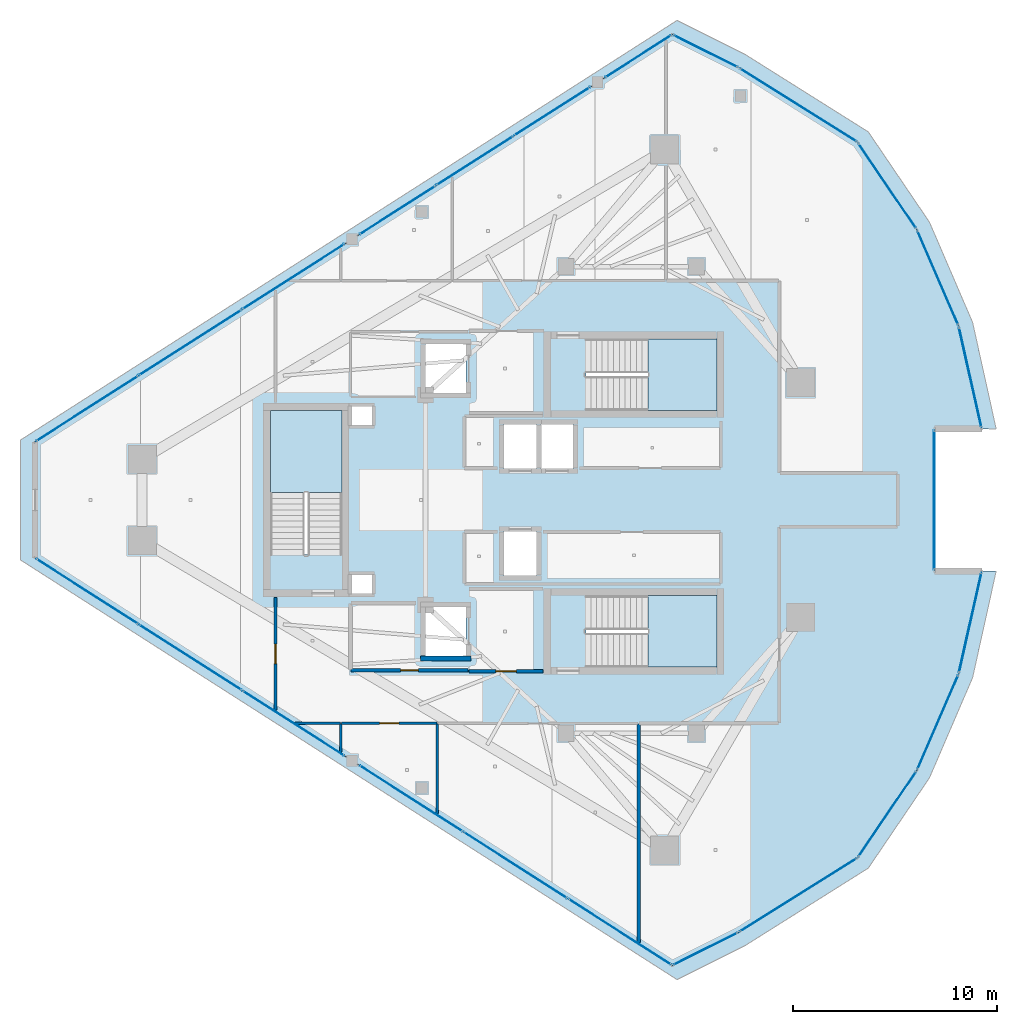
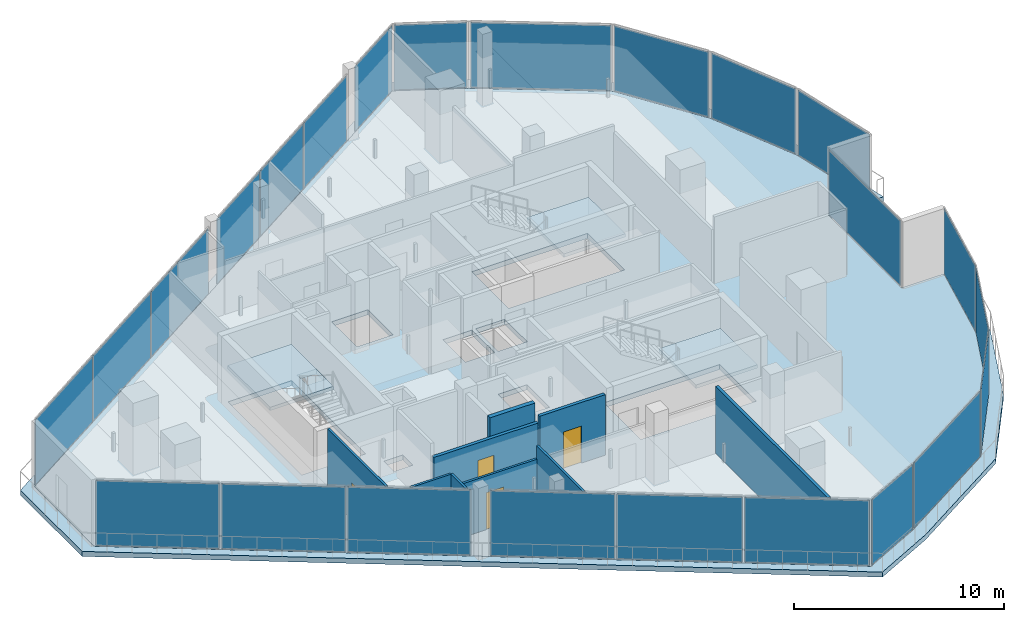
# One storey, part 17 of 25: 24 plates, 9 walls, 5 slabs, 4 doors, 4 openings, 19 elements without a shape of their own.
"""IFC4 building model written with IfcOpenShell, lengths in metres."""

from ifc_helpers import new_model, si_unit, direction, frame, frame_2d, origin, origin_2d, place, context, subcontext, project, spatial, polyline, rectangle, outline, extrude, material, layer, layer_set, type_object, element, fill, aggregate, save


model = new_model("IFC4")

# Units and contexts
model_context = context("Model", 3, precision=1e-05, world=origin(), true_north=direction((0.0, 1.0)))
body_context = subcontext(model_context, "Body", "Model", "MODEL_VIEW")
ifc_project = project(units=[si_unit("LENGTHUNIT", "METRE"), si_unit("AREAUNIT", "SQUARE_METRE"), si_unit("VOLUMEUNIT", "CUBIC_METRE"), si_unit("PLANEANGLEUNIT", "RADIAN"), si_unit("MASSUNIT", "GRAM", prefix="KILO")], contexts=[model_context])

# Site, building, storey
site_placement = place(None, origin())
site = spatial("IfcSite", under=ifc_project, at=site_placement, CompositionType="ELEMENT")
building_placement = place(site_placement, origin())
building = spatial("IfcBuilding", under=site, at=building_placement, Name="Qorvath Tower", CompositionType="ELEMENT")
storey_placement = place(building_placement, frame((0.0, 0.0, 297.60009765625)))
storey = spatial("IfcBuildingStorey", under=building, at=storey_placement, Name="L69", CompositionType="ELEMENT", Elevation=297.60009765625)

# Curtain wall, plates
ifc_material_1 = material(Name="Anodised aluminium and triple low-E glass", Category="aluminium")
ifc_layer_1 = layer(ifc_material_1, 0.179931640625)
ifc_layer_set_1 = layer_set([ifc_layer_1], Name="CW-SYS-5")
curtain_wall_type = type_object("IfcCurtainWallType", Name="CW-SYS-5", PredefinedType="NOTDEFINED", material=ifc_layer_set_1)
curtain_wall_1_placement = place(storey_placement, origin())
curtain_wall_1 = element("IfcCurtainWall", 1, at=curtain_wall_1_placement, inside=storey, type_object=curtain_wall_type, Name="Curtain Wall CW-5 CW-T-L69-2.1", PredefinedType="NOTDEFINED")
ifc_material_2 = material(Name="Acoustic laminated low-E glass", Category="glass")
ifc_layer_2 = layer(ifc_material_2, 0.0380859375)
ifc_layer_set_2 = layer_set([ifc_layer_2], Name="CWP-GLZ-38")
plate_type = type_object("IfcPlateType", Name="CWP-GLZ-38", PredefinedType="CURTAIN_PANEL", material=ifc_layer_set_2)
plate_1_placement = place(storey_placement, frame((-47.099365234375, -4.487060546875, 0.06494140625), z_axis=(0.0, 0.0, 1.0), x_axis=(0.842601833234, -0.538537046665, 0.0)))
plate_1 = element("IfcPlate", 2, at=plate_1_placement, type_object=plate_type, Name="CW-5 panel 1.1", PredefinedType="CURTAIN_PANEL", context=body_context, shape_type="SweptSolid", body=[
    extrude(rectangle(XDim=5.912109375, YDim=0.0380859375, at=origin_2d()), origin(), (0.0, 0.0, 1.0), 3.77978515625),
])
plate_2_placement = place(storey_placement, frame((-42.038818359375, -7.721435546875, 0.06494140625), z_axis=(0.0, 0.0, 1.0), x_axis=(0.842601833234, -0.538537046665, 0.0)))
plate_2 = element("IfcPlate", 3, at=plate_2_placement, type_object=plate_type, Name="CW-5 panel 2.1", PredefinedType="CURTAIN_PANEL", context=body_context, shape_type="SweptSolid", body=[
    extrude(rectangle(XDim=5.94970703125, YDim=0.0380859375, at=origin_2d()), origin(), (0.0, 0.0, 1.0), 3.77978515625),
])
plate_3_placement = place(storey_placement, frame((-36.978271484375, -10.955810546875, 0.06494140625), z_axis=(0.0, 0.0, 1.0), x_axis=(0.842601833234, -0.538537046665, 0.0)))
plate_3 = element("IfcPlate", 4, at=plate_3_placement, type_object=plate_type, Name="CW-5 panel 3.1", PredefinedType="CURTAIN_PANEL", context=body_context, shape_type="SweptSolid", body=[
    extrude(rectangle(XDim=5.912109375, YDim=0.0380859375, at=origin_2d()), origin(), (0.0, 0.0, 1.0), 3.77978515625),
])
aggregate(curtain_wall_1, [plate_1, plate_2, plate_3])

curtain_wall_2_placement = place(storey_placement, origin())
curtain_wall_2 = element("IfcCurtainWall", 5, at=curtain_wall_2_placement, inside=storey, type_object=curtain_wall_type, Name="Curtain Wall CW-5 CW-T-L69-2.2", PredefinedType="NOTDEFINED")
plate_4_placement = place(storey_placement, frame((-31.202392578125, -14.647216796875, 0.06494140625), z_axis=(0.0, 0.0, 1.0), x_axis=(0.842603896465, -0.538533818494, 0.0)))
plate_4 = element("IfcPlate", 6, at=plate_4_placement, type_object=plate_type, Name="CW-5 panel 1.1", PredefinedType="CURTAIN_PANEL", context=body_context, shape_type="SweptSolid", body=[
    extrude(rectangle(XDim=5.978515625, YDim=0.0380859375, at=origin_2d()), origin(), (0.0, 0.0, 1.0), 3.77978515625),
])
plate_5_placement = place(storey_placement, frame((-26.0859375, -17.917236328125, 0.06494140625), z_axis=(0.0, 0.0, 1.0), x_axis=(0.842603896465, -0.538533818494, 0.0)))
plate_5 = element("IfcPlate", 7, at=plate_5_placement, type_object=plate_type, Name="CW-5 panel 2.1", PredefinedType="CURTAIN_PANEL", context=body_context, shape_type="SweptSolid", body=[
    extrude(rectangle(XDim=6.015869140625, YDim=0.0380859375, at=origin_2d()), origin(), (0.0, 0.0, 1.0), 3.77978515625),
])
plate_6_placement = place(storey_placement, frame((-20.969482421875, -21.1875, 0.06494140625), z_axis=(0.0, 0.0, 1.0), x_axis=(0.842603896465, -0.538533818494, 0.0)))
plate_6 = element("IfcPlate", 8, at=plate_6_placement, type_object=plate_type, Name="CW-5 panel 3.1", PredefinedType="CURTAIN_PANEL", context=body_context, shape_type="SweptSolid", body=[
    extrude(rectangle(XDim=5.978515625, YDim=0.0380859375, at=origin_2d()), origin(), (0.0, 0.0, 1.0), 3.77978515625),
])
aggregate(curtain_wall_2, [plate_4, plate_5, plate_6])

# Curtain wall, plate
curtain_wall_3_placement = place(storey_placement, origin())
curtain_wall_3 = element("IfcCurtainWall", 9, at=curtain_wall_3_placement, inside=storey, type_object=curtain_wall_type, Name="Curtain Wall CW-5 CW-T-L69-3.1", PredefinedType="NOTDEFINED")
plate_7_placement = place(storey_placement, frame((-16.75634765625, -22.02197265625, 0.06494140625), z_axis=(0.0, 0.0, 1.0), x_axis=(0.894443639936, 0.447180696116, 0.0)))
plate_7 = element("IfcPlate", 10, at=plate_7_placement, type_object=plate_type, Name="CW-5 panel 1.1", PredefinedType="CURTAIN_PANEL", context=body_context, shape_type="SweptSolid", body=[
    extrude(rectangle(XDim=3.49755859375, YDim=0.0380859375, at=origin_2d()), origin(), (0.0, 0.0, 1.0), 3.77978515625),
])
aggregate(curtain_wall_3, [plate_7])

curtain_wall_4_placement = place(storey_placement, origin())
curtain_wall_4 = element("IfcCurtainWall", 11, at=curtain_wall_4_placement, inside=storey, type_object=curtain_wall_type, Name="Curtain Wall CW-5 CW-T-L69-4.1", PredefinedType="NOTDEFINED")
plate_8_placement = place(storey_placement, frame((-12.21044921875, -19.378173828125, 0.06494140625), z_axis=(0.0, 0.0, 1.0), x_axis=(0.847127648034, 0.531389450344, 0.0)))
plate_8 = element("IfcPlate", 12, at=plate_8_placement, type_object=plate_type, Name="CW-5 panel 1.1", PredefinedType="CURTAIN_PANEL", context=body_context, shape_type="SweptSolid", body=[
    extrude(rectangle(XDim=6.73095703125, YDim=0.0380859375, at=origin_2d()), origin(), (0.0, 0.0, 1.0), 3.77978515625),
])
aggregate(curtain_wall_4, [plate_8])

curtain_wall_5_placement = place(storey_placement, origin())
curtain_wall_5 = element("IfcCurtainWall", 13, at=curtain_wall_5_placement, inside=storey, type_object=curtain_wall_type, Name="Curtain Wall CW-5 CW-T-L69-5.1", PredefinedType="NOTDEFINED")
plate_9_placement = place(storey_placement, frame((-7.843994140625, -15.4130859375, 0.06494140625), z_axis=(0.0, 0.0, 1.0), x_axis=(0.561985479626, 0.827147097371, 0.0)))
plate_9 = element("IfcPlate", 14, at=plate_9_placement, type_object=plate_type, Name="CW-5 panel 1.1", PredefinedType="CURTAIN_PANEL", context=body_context, shape_type="SweptSolid", body=[
    extrude(rectangle(XDim=5.01708984375, YDim=0.0380859375, at=origin_2d()), origin(), (0.0, 0.0, 1.0), 3.77978515625),
])
aggregate(curtain_wall_5, [plate_9])

curtain_wall_6_placement = place(storey_placement, origin())
curtain_wall_6 = element("IfcCurtainWall", 15, at=curtain_wall_6_placement, inside=storey, type_object=curtain_wall_type, Name="Curtain Wall CW-5 CW-T-L69-6.1", PredefinedType="NOTDEFINED")
plate_10_placement = place(storey_placement, frame((-5.36474609375, -10.90576171875, 0.06494140625), z_axis=(0.0, 0.0, 1.0), x_axis=(0.397657948238, 0.91753373573, 0.0)))
plate_10 = element("IfcPlate", 16, at=plate_10_placement, type_object=plate_type, Name="CW-5 panel 1.1", PredefinedType="CURTAIN_PANEL", context=body_context, shape_type="SweptSolid", body=[
    extrude(rectangle(XDim=5.01708984375, YDim=0.0380859375, at=origin_2d()), origin(), (0.0, 0.0, 1.0), 3.77978515625),
])
aggregate(curtain_wall_6, [plate_10])

curtain_wall_7_placement = place(storey_placement, origin())
curtain_wall_7 = element("IfcCurtainWall", 17, at=curtain_wall_7_placement, inside=storey, type_object=curtain_wall_type, Name="Curtain Wall CW-5 CW-T-L69-7.1", PredefinedType="NOTDEFINED")
plate_11_placement = place(storey_placement, frame((-3.770751953125, -6.0146484375, 0.06494140625), z_axis=(0.0, 0.0, 1.0), x_axis=(0.219292521844, 0.975659156603, 0.0)))
plate_11 = element("IfcPlate", 18, at=plate_11_placement, type_object=plate_type, Name="CW-5 panel 1.1", PredefinedType="CURTAIN_PANEL", context=body_context, shape_type="SweptSolid", body=[
    extrude(rectangle(XDim=5.01708984375, YDim=0.0380859375, at=origin_2d()), origin(), (0.0, 0.0, 1.0), 3.77978515625),
])
aggregate(curtain_wall_7, [plate_11])

curtain_wall_8_placement = place(storey_placement, origin())
curtain_wall_8 = element("IfcCurtainWall", 19, at=curtain_wall_8_placement, inside=storey, type_object=curtain_wall_type, Name="Curtain Wall CW-5 CW-T-L69-9.1", PredefinedType="NOTDEFINED")
plate_12_placement = place(storey_placement, frame((-5.533447265625, 0.0, 0.06494140625), z_axis=(0.0, 0.0, 1.0), x_axis=(0.0, 1.0, 0.0)))
plate_12 = element("IfcPlate", 20, at=plate_12_placement, type_object=plate_type, Name="CW-5 panel 1.1", PredefinedType="CURTAIN_PANEL", context=body_context, shape_type="SweptSolid", body=[
    extrude(rectangle(XDim=6.837890625, YDim=0.0380859375, at=origin_2d()), origin(), (0.0, 0.0, 1.0), 3.77978515625),
])
aggregate(curtain_wall_8, [plate_12])

curtain_wall_9_placement = place(storey_placement, origin())
curtain_wall_9 = element("IfcCurtainWall", 21, at=curtain_wall_9_placement, inside=storey, type_object=curtain_wall_type, Name="Curtain Wall CW-5 CW-T-L69-11.1", PredefinedType="NOTDEFINED")
plate_13_placement = place(storey_placement, frame((-3.770751953125, 6.0146484375, 0.06494140625), z_axis=(0.0, 0.0, 1.0), x_axis=(-0.219292521844, 0.975659156603, 0.0)))
plate_13 = element("IfcPlate", 22, at=plate_13_placement, type_object=plate_type, Name="CW-5 panel 1.1", PredefinedType="CURTAIN_PANEL", context=body_context, shape_type="SweptSolid", body=[
    extrude(rectangle(XDim=5.01708984375, YDim=0.0380859375, at=origin_2d()), origin(), (0.0, 0.0, 1.0), 3.77978515625),
])
aggregate(curtain_wall_9, [plate_13])

curtain_wall_10_placement = place(storey_placement, origin())
curtain_wall_10 = element("IfcCurtainWall", 23, at=curtain_wall_10_placement, inside=storey, type_object=curtain_wall_type, Name="Curtain Wall CW-5 CW-T-L69-12.1", PredefinedType="NOTDEFINED")
plate_14_placement = place(storey_placement, frame((-5.36474609375, 10.90576171875, 0.06494140625), z_axis=(0.0, 0.0, 1.0), x_axis=(-0.397657948238, 0.91753373573, 0.0)))
plate_14 = element("IfcPlate", 24, at=plate_14_placement, type_object=plate_type, Name="CW-5 panel 1.1", PredefinedType="CURTAIN_PANEL", context=body_context, shape_type="SweptSolid", body=[
    extrude(rectangle(XDim=5.01708984375, YDim=0.0380859375, at=origin_2d()), origin(), (0.0, 0.0, 1.0), 3.77978515625),
])
aggregate(curtain_wall_10, [plate_14])

curtain_wall_11_placement = place(storey_placement, origin())
curtain_wall_11 = element("IfcCurtainWall", 25, at=curtain_wall_11_placement, inside=storey, type_object=curtain_wall_type, Name="Curtain Wall CW-5 CW-T-L69-13.1", PredefinedType="NOTDEFINED")
plate_15_placement = place(storey_placement, frame((-7.843994140625, 15.4130859375, 0.06494140625), z_axis=(0.0, 0.0, 1.0), x_axis=(-0.561985479626, 0.827147097371, 0.0)))
plate_15 = element("IfcPlate", 26, at=plate_15_placement, type_object=plate_type, Name="CW-5 panel 1.1", PredefinedType="CURTAIN_PANEL", context=body_context, shape_type="SweptSolid", body=[
    extrude(rectangle(XDim=5.01708984375, YDim=0.0380859375, at=origin_2d()), origin(), (0.0, 0.0, 1.0), 3.77978515625),
])
aggregate(curtain_wall_11, [plate_15])

curtain_wall_12_placement = place(storey_placement, origin())
curtain_wall_12 = element("IfcCurtainWall", 27, at=curtain_wall_12_placement, inside=storey, type_object=curtain_wall_type, Name="Curtain Wall CW-5 CW-T-L69-14.1", PredefinedType="NOTDEFINED")
plate_16_placement = place(storey_placement, frame((-12.21044921875, 19.378173828125, 0.06494140625), z_axis=(0.0, 0.0, 1.0), x_axis=(-0.847127648034, 0.531389450344, 0.0)))
plate_16 = element("IfcPlate", 28, at=plate_16_placement, type_object=plate_type, Name="CW-5 panel 1.1", PredefinedType="CURTAIN_PANEL", context=body_context, shape_type="SweptSolid", body=[
    extrude(rectangle(XDim=6.73095703125, YDim=0.0380859375, at=origin_2d()), origin(), (0.0, 0.0, 1.0), 3.77978515625),
])
aggregate(curtain_wall_12, [plate_16])

curtain_wall_13_placement = place(storey_placement, origin())
curtain_wall_13 = element("IfcCurtainWall", 29, at=curtain_wall_13_placement, inside=storey, type_object=curtain_wall_type, Name="Curtain Wall CW-5 CW-T-L69-15.1", PredefinedType="NOTDEFINED")
plate_17_placement = place(storey_placement, frame((-16.75634765625, 22.02197265625, 0.06494140625), z_axis=(0.0, 0.0, 1.0), x_axis=(-0.894443639936, 0.447180696116, 0.0)))
plate_17 = element("IfcPlate", 30, at=plate_17_placement, type_object=plate_type, Name="CW-5 panel 1.1", PredefinedType="CURTAIN_PANEL", context=body_context, shape_type="SweptSolid", body=[
    extrude(rectangle(XDim=3.49755859375, YDim=0.0380859375, at=origin_2d()), origin(), (0.0, 0.0, 1.0), 3.77978515625),
])
aggregate(curtain_wall_13, [plate_17])

curtain_wall_14_placement = place(storey_placement, origin())
curtain_wall_14 = element("IfcCurtainWall", 31, at=curtain_wall_14_placement, inside=storey, type_object=curtain_wall_type, Name="Curtain Wall CW-5 CW-T-L69-16.1", PredefinedType="NOTDEFINED")
plate_18_placement = place(storey_placement, frame((-20.060302734375, 21.768310546875, 0.06494140625), z_axis=(0.0, 0.0, 1.0), x_axis=(-0.842596901349, -0.538544763076, 0.0)))
plate_18 = element("IfcPlate", 32, at=plate_18_placement, type_object=plate_type, Name="CW-5 panel 1.1", PredefinedType="CURTAIN_PANEL", context=body_context, shape_type="SweptSolid", body=[
    extrude(rectangle(XDim=3.82080078125, YDim=0.0380859375, at=origin_2d()), origin(), (0.0, 0.0, 1.0), 3.77978515625),
])
aggregate(curtain_wall_14, [plate_18])

# Curtain wall, plates
curtain_wall_15_placement = place(storey_placement, origin())
curtain_wall_15 = element("IfcCurtainWall", 33, at=curtain_wall_15_placement, inside=storey, type_object=curtain_wall_type, Name="Curtain Wall CW-5 CW-T-L69-16.2", PredefinedType="NOTDEFINED")
plate_19_placement = place(storey_placement, frame((-24.291015625, 19.064697265625, 0.06494140625), z_axis=(0.0, 0.0, 1.0), x_axis=(-0.842598997705, -0.538541483143, 0.0)))
plate_19 = element("IfcPlate", 34, at=plate_19_placement, type_object=plate_type, Name="CW-5 panel 1.1", PredefinedType="CURTAIN_PANEL", context=body_context, shape_type="SweptSolid", body=[
    extrude(rectangle(XDim=4.401611328125, YDim=0.0380859375, at=origin_2d()), origin(), (0.0, 0.0, 1.0), 3.77978515625),
])
plate_20_placement = place(storey_placement, frame((-28.078857421875, 16.643798828125, 0.06494140625), z_axis=(0.0, 0.0, 1.0), x_axis=(-0.842598997705, -0.538541483143, 0.0)))
plate_20 = element("IfcPlate", 35, at=plate_20_placement, type_object=plate_type, Name="CW-5 panel 2.1", PredefinedType="CURTAIN_PANEL", context=body_context, shape_type="SweptSolid", body=[
    extrude(rectangle(XDim=4.439208984375, YDim=0.0380859375, at=origin_2d()), origin(), (0.0, 0.0, 1.0), 3.77978515625),
])
plate_21_placement = place(storey_placement, frame((-31.86669921875, 14.22265625, 0.06494140625), z_axis=(0.0, 0.0, 1.0), x_axis=(-0.842598997705, -0.538541483143, 0.0)))
plate_21 = element("IfcPlate", 36, at=plate_21_placement, type_object=plate_type, Name="CW-5 panel 3.1", PredefinedType="CURTAIN_PANEL", context=body_context, shape_type="SweptSolid", body=[
    extrude(rectangle(XDim=4.401611328125, YDim=0.0380859375, at=origin_2d()), origin(), (0.0, 0.0, 1.0), 3.77978515625),
])
aggregate(curtain_wall_15, [plate_19, plate_20, plate_21])

curtain_wall_16_placement = place(storey_placement, origin())
curtain_wall_16 = element("IfcCurtainWall", 37, at=curtain_wall_16_placement, inside=storey, type_object=curtain_wall_type, Name="Curtain Wall CW-5 CW-T-L69-16.3", PredefinedType="NOTDEFINED")
plate_22_placement = place(storey_placement, frame((-36.978271484375, 10.955810546875, 0.06494140625), z_axis=(0.0, 0.0, 1.0), x_axis=(-0.842601833234, -0.538537046665, 0.0)))
plate_22 = element("IfcPlate", 38, at=plate_22_placement, type_object=plate_type, Name="CW-5 panel 1.1", PredefinedType="CURTAIN_PANEL", context=body_context, shape_type="SweptSolid", body=[
    extrude(rectangle(XDim=5.912109375, YDim=0.0380859375, at=origin_2d()), origin(), (0.0, 0.0, 1.0), 3.77978515625),
])
plate_23_placement = place(storey_placement, frame((-42.038818359375, 7.721435546875, 0.06494140625), z_axis=(0.0, 0.0, 1.0), x_axis=(-0.842601833234, -0.538537046665, 0.0)))
plate_23 = element("IfcPlate", 39, at=plate_23_placement, type_object=plate_type, Name="CW-5 panel 2.1", PredefinedType="CURTAIN_PANEL", context=body_context, shape_type="SweptSolid", body=[
    extrude(rectangle(XDim=5.94970703125, YDim=0.0380859375, at=origin_2d()), origin(), (0.0, 0.0, 1.0), 3.77978515625),
])
plate_24_placement = place(storey_placement, frame((-47.099365234375, 4.487060546875, 0.06494140625), z_axis=(0.0, 0.0, 1.0), x_axis=(-0.842601833234, -0.538537046665, 0.0)))
plate_24 = element("IfcPlate", 40, at=plate_24_placement, type_object=plate_type, Name="CW-5 panel 3.1", PredefinedType="CURTAIN_PANEL", context=body_context, shape_type="SweptSolid", body=[
    extrude(rectangle(XDim=5.912109375, YDim=0.0380859375, at=origin_2d()), origin(), (0.0, 0.0, 1.0), 3.77978515625),
])
aggregate(curtain_wall_16, [plate_22, plate_23, plate_24])

# Slab
ifc_material_3 = material(Name="Concrete C50/60", Category="concrete")
ifc_layer_3 = layer(ifc_material_3, 0.2900390625)
ifc_layer_set_3 = layer_set([ifc_layer_3], Name="SL-EXEC-290")
slab_type_1 = type_object("IfcSlabType", Name="SL-EXEC-290", PredefinedType="FLOOR", material=ifc_layer_set_3)
slab_1_placement = place(storey_placement, frame((0.0, 0.0, -0.2900390625)))
element("IfcSlab", 41, at=slab_1_placement, inside=storey, type_object=slab_type_1, Name="Tower L69 Interior Floor Slab", PredefinedType="FLOOR", context=body_context, shape_type="SweptSolid", body=[
    extrude(outline(polyline([(-49.6533203125, 2.854736328125), (-49.6533203125, -2.854736328125), (-18.387451171875, -22.837646484375), (-15.125, -21.20654296875), (-9.2958984375, -17.550048828125), (-6.39208984375, -13.276123046875), (-4.33740234375, -8.53515625), (-3.204345703125, -3.493896484375), (-5.533447265625, -3.493896484375), (-5.533447265625, 3.493896484375), (-3.204345703125, 3.493896484375), (-4.33740234375, 8.53515625), (-6.39208984375, 13.276123046875), (-9.2958984375, 17.550048828125), (-15.125, 21.20654296875), (-18.387451171875, 22.837646484375), (-49.6533203125, 2.854736328125)]), holes=[polyline([(-16.2451171875, -8.199951171875), (-22.625, -8.199951171875), (-22.625, -4.68994140625), (-16.2451171875, -4.68994140625), (-16.2451171875, -8.199951171875)]), polyline([(-22.625, 4.39990234375), (-22.625, 7.909912109375), (-16.2451171875, 7.909912109375), (-16.2451171875, 4.39990234375), (-22.625, 4.39990234375)]), polyline([(-23.25, 1.550048828125), (-24.85009765625, 1.550048828125), (-24.85009765625, 3.699951171875), (-23.25, 3.699951171875), (-23.25, 1.550048828125)]), polyline([(-26.64990234375, -3.699951171875), (-26.64990234375, -1.550048828125), (-25.050048828125, -1.550048828125), (-25.050048828125, -3.699951171875), (-26.64990234375, -3.699951171875)]), polyline([(-25.050048828125, 1.550048828125), (-26.64990234375, 1.550048828125), (-26.64990234375, 3.699951171875), (-25.050048828125, 3.699951171875), (-25.050048828125, 1.550048828125)]), polyline([(-28.5, -7.64990234375), (-30.5, -7.64990234375), (-30.5, -5.25), (-28.5, -5.25), (-28.5, -7.64990234375)]), polyline([(-30.5, 5.25), (-30.5, 7.64990234375), (-28.5, 7.64990234375), (-28.5, 5.25), (-30.5, 5.25)]), polyline([(-33.10009765625, -4.6201171875), (-34.14990234375, -4.6201171875), (-34.14990234375, -3.64990234375), (-33.10009765625, -3.64990234375), (-33.10009765625, -4.6201171875)]), polyline([(-33.10009765625, 3.64990234375), (-34.14990234375, 3.64990234375), (-34.14990234375, 4.6201171875), (-33.10009765625, 4.6201171875), (-33.10009765625, 3.64990234375)]), polyline([(-34.60009765625, -2.675048828125), (-38.110107421875, -2.675048828125), (-38.110107421875, 4.35498046875), (-34.60009765625, 4.35498046875), (-34.60009765625, -2.675048828125)])]), origin(), (0.0, 0.0, 1.0), 0.2900390625),
])

# Stair, slab
ifc_material_4 = material(Name="Concrete C50/60", Category="concrete")
stair_type = type_object("IfcStairType", Name="ST-H420", PredefinedType="HALF_TURN_STAIR", material=ifc_material_4)
stair_1_placement = place(storey_placement, origin())
stair_1 = element("IfcStair", 42, at=stair_1_placement, inside=storey, type_object=stair_type, Name="L69 Tower Exit Stair 1", PredefinedType="HALF_TURN_STAIR")
ifc_material_5 = material(Name="Concrete C50/60", Category="concrete")
ifc_layer_4 = layer(ifc_material_5, 0.199951171875)
ifc_layer_set_4 = layer_set([ifc_layer_4], Name="SL-LND-200")
slab_type_2 = type_object("IfcSlabType", Name="SL-LND-200", PredefinedType="LANDING", material=ifc_layer_set_4)
slab_2_placement = place(storey_placement, frame((0.0, 0.0, 1.89990234375)))
slab_2 = element("IfcSlab", 43, at=slab_2_placement, type_object=slab_type_2, Name="TS1 landing 1", PredefinedType="LANDING", context=body_context, shape_type="SweptSolid", body=[
    extrude(outline(polyline([(-19.590087890625, 4.39990234375), (-16.199951171875, 4.39990234375), (-16.199951171875, 7.909912109375), (-19.590087890625, 7.909912109375), (-19.590087890625, 4.39990234375)])), origin(), (0.0, 0.0, 1.0), 0.199951171875),
])
aggregate(stair_1, [slab_2])

stair_2_placement = place(storey_placement, origin())
stair_2 = element("IfcStair", 44, at=stair_2_placement, inside=storey, type_object=stair_type, Name="L69 Tower Exit Stair 2", PredefinedType="HALF_TURN_STAIR")
slab_3_placement = place(storey_placement, frame((0.0, 0.0, 1.89990234375)))
slab_3 = element("IfcSlab", 45, at=slab_3_placement, type_object=slab_type_2, Name="TS2 landing 1", PredefinedType="LANDING", context=body_context, shape_type="SweptSolid", body=[
    extrude(outline(polyline([(-19.590087890625, -8.199951171875), (-16.199951171875, -8.199951171875), (-16.199951171875, -4.68994140625), (-19.590087890625, -4.68994140625), (-19.590087890625, -8.199951171875)])), origin(), (0.0, 0.0, 1.0), 0.199951171875),
])
aggregate(stair_2, [slab_3])

stair_3_placement = place(storey_placement, origin())
stair_3 = element("IfcStair", 46, at=stair_3_placement, inside=storey, type_object=stair_type, Name="L69 Tower Exit Stair 3", PredefinedType="HALF_TURN_STAIR")
slab_4_placement = place(storey_placement, frame((0.0, 0.0, 1.89990234375)))
slab_4 = element("IfcSlab", 47, at=slab_4_placement, type_object=slab_type_2, Name="TS3 landing 1", PredefinedType="LANDING", context=body_context, shape_type="SweptSolid", body=[
    extrude(outline(polyline([(-34.60009765625, 0.360107421875), (-34.60009765625, 4.39990234375), (-38.110107421875, 4.39990234375), (-38.110107421875, 0.360107421875), (-34.60009765625, 0.360107421875)])), origin(), (0.0, 0.0, 1.0), 0.199951171875),
])
aggregate(stair_3, [slab_4])

# Slab
ifc_material_6 = material(Name="Precast concrete C45/55", Category="concrete")
ifc_layer_5 = layer(ifc_material_6, 0.2900390625)
ifc_layer_set_5 = layer_set([ifc_layer_5], Name="SL-LOG-290")
slab_type_3 = type_object("IfcSlabType", Name="SL-LOG-290", PredefinedType="FLOOR", material=ifc_layer_set_5)
slab_5_placement = place(storey_placement, frame((0.0, 0.0, -0.2900390625)))
element("IfcSlab", 48, at=slab_5_placement, inside=storey, type_object=slab_type_3, Name="Tower L69 Perimeter Loggia and Terrace Slab", PredefinedType="FLOOR", context=body_context, shape_type="SweptSolid", body=[
    extrude(outline(polyline([(-3.204345703125, -3.493896484375), (-4.33740234375, -8.53515625), (-6.39208984375, -13.276123046875), (-9.2958984375, -17.550048828125), (-15.125, -21.20654296875), (-18.387451171875, -22.837646484375), (-49.6533203125, -2.854736328125), (-49.6533203125, 2.854736328125), (-18.387451171875, 22.837646484375), (-15.125, 21.20654296875), (-9.2958984375, 17.550048828125), (-6.39208984375, 13.276123046875), (-4.33740234375, 8.53515625), (-3.204345703125, 3.493896484375), (-2.50048828125, 3.493896484375), (-3.656494140625, 8.717529296875), (-5.7724609375, 13.631591796875), (-8.77294921875, 18.06103515625), (-14.79541015625, 21.848876953125), (-18.15673828125, 23.529541015625), (-50.369873046875, 2.941162109375), (-50.369873046875, -2.941162109375), (-18.15673828125, -23.529541015625), (-14.79541015625, -21.848876953125), (-8.77294921875, -18.06103515625), (-5.7724609375, -13.631591796875), (-3.656494140625, -8.717529296875), (-2.50048828125, -3.493896484375), (-3.204345703125, -3.493896484375)])), origin(), (0.0, 0.0, 1.0), 0.2900390625),
])

# Wall, opening, door
ifc_material_7 = material(Name="Gypsum shaftliner on steel studs", Category="steel")
ifc_layer_6 = layer(ifc_material_7, 0.179931640625)
ifc_layer_set_6 = layer_set([ifc_layer_6], Name="FW-LOBBY")
wall_type_1 = type_object("IfcWallType", Name="FW-LOBBY", PredefinedType="PARTITIONING", material=ifc_layer_set_6)
wall_1_placement = place(storey_placement, frame((-28.35498046875, -8.39990234375, 0.0), z_axis=(0.0, 0.0, 1.0), x_axis=(1.0, 0.0, 0.0)))
wall_1 = element("IfcWall", 49, at=wall_1_placement, inside=storey, type_object=wall_type_1, Name="Interior Partition IW-T1-L69-003", PredefinedType="PARTITIONING", context=body_context, shape_type="SweptSolid", body=[
    extrude(rectangle(XDim=3.6220703125, YDim=0.179931640625, at=frame_2d((1.81103515625, 0.0))), origin(), (0.0, 0.0, 1.0), 3.52880859375),
])
opening_1_placement = place(wall_1_placement, frame((1.31103515625, 0.0, 0.0)))
opening_1 = element("IfcOpeningElement", 50, at=opening_1_placement, cuts=wall_1, Name="Opening D-T1-L69-02", PredefinedType="OPENING", context=body_context, shape_type="SweptSolid", body=[
    extrude(rectangle(XDim=1.0, YDim=2.14990234375, at=frame_2d((0.5, 1.074951171875))), frame((0.0, 0.10009765625, 0.0), z_axis=(0.0, -1.0, 0.0), x_axis=(1.0, 0.0, 0.0)), (0.0, 0.0, 1.0), 0.199951171875),
])
ifc_material_8 = material(Name="Painted galvanised hollow metal", Category="steel")
door_type_1 = type_object("IfcDoorType", Name="FD-60", OperationType="NOTDEFINED", PredefinedType="DOOR", material=ifc_material_8)
door_1_placement = place(opening_1_placement, origin())
door_1 = element("IfcDoor", 51, at=door_1_placement, inside=storey, type_object=door_type_1, Name="Lobby Fire Service Elevator South Door D-T1-L69-02", OperationType="SINGLE_SWING_LEFT", OverallHeight=2.14990234375, OverallWidth=1.0, PredefinedType="DOOR", context=body_context, shape_type="SweptSolid", body=[
    extrude(rectangle(XDim=1.0, YDim=2.14990234375, at=frame_2d((0.5, 1.074951171875))), frame((0.0, 0.02490234375, 0.0), z_axis=(0.0, -1.0, 0.0), x_axis=(1.0, 0.0, 0.0)), (0.0, 0.0, 1.0), 0.050048828125),
])
fill(opening_1, door_1)

wall_2_placement = place(storey_placement, frame((-34.15478515625, -8.35009765625, 0.0), z_axis=(0.0, 0.0, 1.0), x_axis=(1.0, 0.0, 0.0)))
wall_2 = element("IfcWall", 52, at=wall_2_placement, inside=storey, type_object=wall_type_1, Name="Interior Partition IW-T1-L69-020", PredefinedType="PARTITIONING", context=body_context, shape_type="SweptSolid", body=[
    extrude(rectangle(XDim=5.741943359375, YDim=0.179931640625, at=frame_2d((2.87109375, 0.0))), origin(), (0.0, 0.0, 1.0), 3.1298828125),
])
opening_2_placement = place(wall_2_placement, frame((2.430908203125, 0.0, 0.0)))
opening_2 = element("IfcOpeningElement", 53, at=opening_2_placement, cuts=wall_2, Name="Opening D-T1-L69-06", PredefinedType="OPENING", context=body_context, shape_type="SweptSolid", body=[
    extrude(rectangle(XDim=0.8798828125, YDim=2.10009765625, at=frame_2d((0.43994140625, 1.050048828125))), frame((0.0, 0.10009765625, 0.0), z_axis=(0.0, -1.0, 0.0), x_axis=(1.0, 0.0, 0.0)), (0.0, 0.0, 1.0), 0.199951171875),
])
ifc_material_9 = material(Name="Painted galvanised hollow metal", Category="steel")
door_type_2 = type_object("IfcDoorType", Name="FD-60N", OperationType="NOTDEFINED", PredefinedType="DOOR", material=ifc_material_9)
door_2_placement = place(opening_2_placement, origin())
door_2 = element("IfcDoor", 54, at=door_2_placement, inside=storey, type_object=door_type_2, Name="Core electrical and cleaner room L69 Door D-T1-L69-06", OperationType="SINGLE_SWING_LEFT", OverallHeight=2.10009765625, OverallWidth=0.8798828125, PredefinedType="DOOR", context=body_context, shape_type="SweptSolid", body=[
    extrude(rectangle(XDim=0.8798828125, YDim=2.10009765625, at=frame_2d((0.43994140625, 1.050048828125))), frame((0.0, 0.02490234375, 0.0), z_axis=(0.0, -1.0, 0.0), x_axis=(1.0, 0.0, 0.0)), (0.0, 0.0, 1.0), 0.050048828125),
])
fill(opening_2, door_2)

# Walls
ifc_material_10 = material(Name="Double acoustic gypsum board on steel studs", Category="steel")
ifc_layer_7 = layer(ifc_material_10, 0.159912109375)
ifc_layer_set_7 = layer_set([ifc_layer_7], Name="IW-ACOUSTIC-160")
wall_type_2 = type_object("IfcWallType", Name="IW-ACOUSTIC-160", PredefinedType="PARTITIONING", material=ifc_layer_set_7)
wall_3_placement = place(storey_placement, frame((-20.039794921875, -10.98291015625, 0.0), z_axis=(0.0, 0.0, 1.0), x_axis=(-0.000136674258, -0.99999999066, 0.0)))
element("IfcWall", 55, at=wall_3_placement, inside=storey, type_object=wall_type_2, Name="Interior Partition IW-T1-L69-036", PredefinedType="PARTITIONING", context=body_context, shape_type="SweptSolid", body=[
    extrude(rectangle(XDim=10.7177734375, YDim=0.159912109375, at=frame_2d((5.35888671875, 0.0))), origin(), (0.0, 0.0, 1.0), 3.909912109375),
])
ifc_material_11 = material(Name="Gypsum board on metal studs with mineral wool", Category="gypsum")
ifc_layer_8 = layer(ifc_material_11, 0.125)
ifc_layer_set_8 = layer_set([ifc_layer_8], Name="IW-PART-125")
wall_type_3 = type_object("IfcWallType", Name="IW-PART-125", PredefinedType="PARTITIONING", material=ifc_layer_set_8)
wall_4_placement = place(storey_placement, frame((-34.64990234375, -12.36376953125, 0.0), z_axis=(0.0, 0.0, 1.0), x_axis=(0.0, 1.0, 0.0)))
element("IfcWall", 56, at=wall_4_placement, inside=storey, type_object=wall_type_3, Name="Interior Partition IW-T1-L69-021", PredefinedType="PARTITIONING", context=body_context, shape_type="SweptSolid", body=[
    extrude(rectangle(XDim=1.380859375, YDim=0.125, at=frame_2d((0.6904296875, 0.0))), origin(), (0.0, 0.0, 1.0), 3.909912109375),
])
wall_5_placement = place(storey_placement, frame((-36.894775390625, -10.9580078125, 0.0), z_axis=(0.0, 0.0, 1.0), x_axis=(1.0, 0.0, 0.0)))
element("IfcWall", 57, at=wall_5_placement, inside=storey, type_object=wall_type_3, Name="Interior Partition IW-T1-L69-022", PredefinedType="PARTITIONING", context=body_context, shape_type="SweptSolid", body=[
    extrude(rectangle(XDim=2.219970703125, YDim=0.125, at=frame_2d((1.10986328125, 0.0))), origin(), (0.0, 0.0, 1.0), 3.909912109375),
])

# Wall, opening, door
wall_6_placement = place(storey_placement, frame((-37.85791015625, -10.3134765625, 0.0), z_axis=(0.0, 0.0, 1.0), x_axis=(0.0, 1.0, 0.0)))
wall_6 = element("IfcWall", 58, at=wall_6_placement, inside=storey, type_object=wall_type_3, Name="Interior Partition IW-T1-L69-023", PredefinedType="PARTITIONING", context=body_context, shape_type="SweptSolid", body=[
    extrude(rectangle(XDim=5.5302734375, YDim=0.125, at=frame_2d((2.76513671875, 0.0))), origin(), (0.0, 0.0, 1.0), 3.909912109375),
])
opening_3_placement = place(wall_6_placement, frame((2.2900390625, 0.0, 0.0)))
opening_3 = element("IfcOpeningElement", 59, at=opening_3_placement, cuts=wall_6, Name="Opening D-T1-L69-07", PredefinedType="OPENING", context=body_context, shape_type="SweptSolid", body=[
    extrude(rectangle(XDim=0.949951171875, YDim=2.14990234375, at=frame_2d((0.47509765625, 1.074951171875))), frame((0.0, 0.072509765625, 0.0), z_axis=(0.0, -1.0, 0.0), x_axis=(1.0, 0.0, 0.0)), (0.0, 0.0, 1.0), 0.14501953125),
])
ifc_material_12 = material(Name="Solid-core American white oak veneer", Category="wood")
door_type_3 = type_object("IfcDoorType", Name="D-01", OperationType="NOTDEFINED", PredefinedType="DOOR", material=ifc_material_12)
door_3_placement = place(opening_3_placement, origin())
door_3 = element("IfcDoor", 60, at=door_3_placement, inside=storey, type_object=door_type_3, Name="L69-01 Open Workplace Studio Door D-T1-L69-07", OperationType="SINGLE_SWING_RIGHT", OverallHeight=2.14990234375, OverallWidth=0.949951171875, PredefinedType="DOOR", context=body_context, shape_type="SweptSolid", body=[
    extrude(rectangle(XDim=0.949951171875, YDim=2.14990234375, at=frame_2d((0.47509765625, 1.074951171875))), frame((0.0, 0.02490234375, 0.0), z_axis=(0.0, -1.0, 0.0), x_axis=(1.0, 0.0, 0.0)), (0.0, 0.0, 1.0), 0.050048828125),
])
fill(opening_3, door_3)

# Wall
wall_7_placement = place(storey_placement, frame((-29.916748046875, -15.388916015625, 0.0), z_axis=(0.0, 0.0, 1.0), x_axis=(0.0, 1.0, 0.0)))
element("IfcWall", 61, at=wall_7_placement, inside=storey, type_object=wall_type_3, Name="Interior Partition IW-T1-L69-040", PredefinedType="PARTITIONING", context=body_context, shape_type="SweptSolid", body=[
    extrude(rectangle(XDim=4.406005859375, YDim=0.125, at=frame_2d((2.203125, 0.0))), origin(), (0.0, 0.0, 1.0), 3.909912109375),
])

# Wall, opening, door
wall_8_placement = place(storey_placement, frame((-29.941650390625, -10.9580078125, 0.0), z_axis=(0.0, 0.0, 1.0), x_axis=(-1.0, 0.0, 0.0)))
wall_8 = element("IfcWall", 62, at=wall_8_placement, inside=storey, type_object=wall_type_3, Name="Interior Partition IW-T1-L69-041", PredefinedType="PARTITIONING", context=body_context, shape_type="SweptSolid", body=[
    extrude(rectangle(XDim=4.675537109375, YDim=0.125, at=frame_2d((2.337890625, 0.0))), origin(), (0.0, 0.0, 1.0), 3.1298828125),
])
opening_4_placement = place(wall_8_placement, frame((1.86279296875, 0.0, 0.0)))
opening_4 = element("IfcOpeningElement", 63, at=opening_4_placement, cuts=wall_8, Name="Opening D-T1-L69-11", PredefinedType="OPENING", context=body_context, shape_type="SweptSolid", body=[
    extrude(rectangle(XDim=0.949951171875, YDim=2.14990234375, at=frame_2d((0.47509765625, 1.074951171875))), frame((0.0, 0.072509765625, 0.0), z_axis=(0.0, -1.0, 0.0), x_axis=(1.0, 0.0, 0.0)), (0.0, 0.0, 1.0), 0.14501953125),
])
door_4_placement = place(opening_4_placement, origin())
door_4 = element("IfcDoor", 64, at=door_4_placement, inside=storey, type_object=door_type_3, Name="L69-05 Executive Support Office Door D-T1-L69-11", OperationType="SINGLE_SWING_RIGHT", OverallHeight=2.14990234375, OverallWidth=0.949951171875, PredefinedType="DOOR", context=body_context, shape_type="SweptSolid", body=[
    extrude(rectangle(XDim=0.949951171875, YDim=2.14990234375, at=frame_2d((0.47509765625, 1.074951171875))), frame((0.0, 0.02490234375, 0.0), z_axis=(0.0, -1.0, 0.0), x_axis=(1.0, 0.0, 0.0)), (0.0, 0.0, 1.0), 0.050048828125),
])
fill(opening_4, door_4)

# Wall
ifc_material_13 = material(Name="Concrete C60/75", Category="concrete")
ifc_layer_9 = layer(ifc_material_13, 0.260009765625)
ifc_layer_set_9 = layer_set([ifc_layer_9], Name="SW-SHAFT")
wall_type_4 = type_object("IfcWallType", Name="SW-SHAFT", PredefinedType="SHEAR", material=ifc_layer_set_9)
wall_9_placement = place(storey_placement, frame((-28.260009765625, -7.77001953125, 0.0), z_axis=(0.0, 0.0, 1.0), x_axis=(-1.0, 0.0, 0.0)))
element("IfcWall", 65, at=wall_9_placement, inside=storey, type_object=wall_type_4, Name="Hoistway Wall FSAE-2 L69 S", PredefinedType="SHEAR", context=body_context, shape_type="SweptSolid", body=[
    extrude(rectangle(XDim=2.47998046875, YDim=0.239990234375, at=frame_2d((1.239990234375, 0.0))), origin(), (0.0, 0.0, 1.0), 3.909912109375),
])

save(model, "model.ifc")
